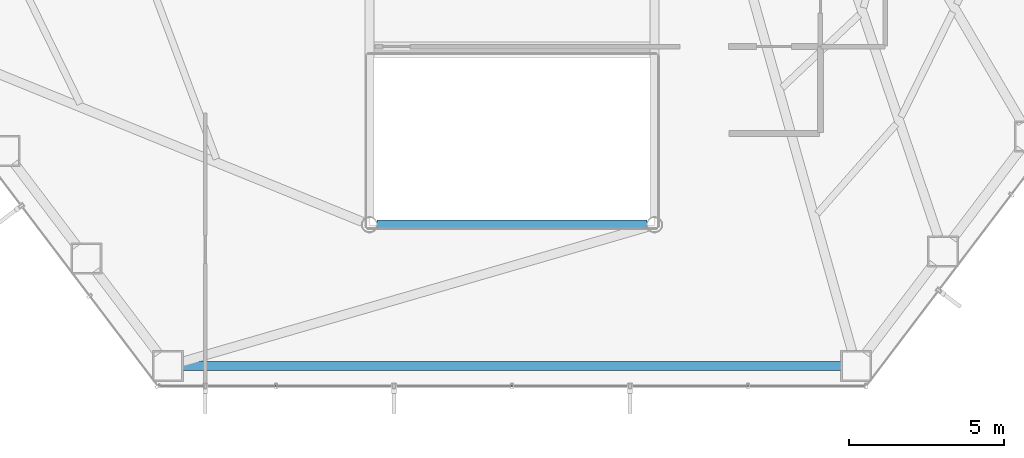
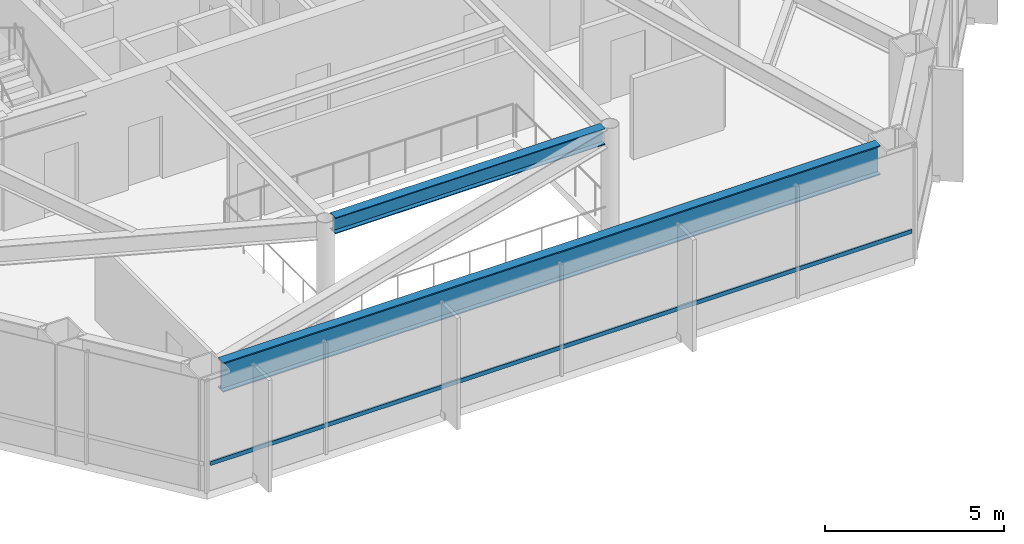
# One storey, part 6 of 26: 2 beams, 1 member, 1 element without a shape of its own.
"""IFC4 building model written with IfcOpenShell, lengths in metres."""

from ifc_helpers import new_model, si_unit, direction, frame, origin, origin_2d, place, context, subcontext, project, spatial, hollow_rectangle, i_section, extrude, material, layer, layer_set, material_profile, profile_set, type_object, element, aggregate, save


model = new_model("IFC4")

# Units and contexts
model_context = context("Model", 3, precision=1e-05, world=origin(), true_north=direction((0.0, 1.0)))
body_context = subcontext(model_context, "Body", "Model", "MODEL_VIEW")
ifc_project = project(units=[si_unit("LENGTHUNIT", "METRE"), si_unit("AREAUNIT", "SQUARE_METRE"), si_unit("VOLUMEUNIT", "CUBIC_METRE"), si_unit("PLANEANGLEUNIT", "RADIAN"), si_unit("MASSUNIT", "GRAM", prefix="KILO")], contexts=[model_context])

# Site, building, storey
site_placement = place(None, origin())
site = spatial("IfcSite", under=ifc_project, at=site_placement, CompositionType="ELEMENT")
building_placement = place(site_placement, origin())
building = spatial("IfcBuilding", under=site, at=building_placement, Name="Zarrinselat Tower", CompositionType="ELEMENT")
storey_placement = place(building_placement, frame((0.0, 0.0, 31.6201171875)))
storey = spatial("IfcBuildingStorey", under=building, at=storey_placement, Name="L07", CompositionType="ELEMENT", Elevation=31.6201171875)

# Beams
ifc_material_1 = material(Name="Steel S355J2", Category="steel")
ifc_material_profile_1 = material_profile(ifc_material_1, i_section(OverallWidth=0.300048828125, OverallDepth=0.550048828125, WebThickness=0.014892578125, FlangeThickness=0.029052734375, at=origin_2d()), Name="HEB 550")
ifc_profile_set_1 = profile_set([ifc_material_profile_1], Name="Steel S355J2")
beam_type_1 = type_object("IfcBeamType", Name="BM-HEB550", PredefinedType="BEAM", material=ifc_profile_set_1)
beam_1_placement = place(storey_placement, frame((34.0400390625, 24.39990234375, 3.544921875), z_axis=(1.0, 0.0, 0.0), x_axis=(0.0, 1.0, 0.0)))
element("IfcBeam", 1, at=beam_1_placement, inside=storey, type_object=beam_type_1, Name="L07 Atrium Edge Beam S", PredefinedType="BEAM", context=body_context, shape_type="SweptSolid", body=[
    extrude(i_section(OverallWidth=0.300048828125, OverallDepth=0.550048828125, WebThickness=0.014892578125, FlangeThickness=0.029052734375, at=origin_2d()), origin(), (0.0, 0.0, 1.0), 8.719970703125),
])
ifc_material_2 = material(Name="Steel S460M", Category="steel")
ifc_material_profile_2 = material_profile(ifc_material_2, i_section(OverallWidth=0.302001953125, OverallDepth=1.008056640625, WebThickness=0.02099609375, FlangeThickness=0.0400390625, at=origin_2d()), Name="HEM 1000")
ifc_profile_set_2 = profile_set([ifc_material_profile_2], Name="Steel S460M")
beam_type_2 = type_object("IfcBeamType", Name="BM-HEM1000", PredefinedType="BEAM", material=ifc_profile_set_2)
beam_2_placement = place(storey_placement, frame((27.77978515625, 19.84033203125, 3.31591796875), z_axis=(1.0, 0.0, 0.0), x_axis=(0.0, 1.0, 0.0)))
element("IfcBeam", 2, at=beam_2_placement, inside=storey, type_object=beam_type_2, Name="L07 Perimeter Spandrel Girder SP10", PredefinedType="BEAM", context=body_context, shape_type="SweptSolid", body=[
    extrude(i_section(OverallWidth=0.302001953125, OverallDepth=1.008056640625, WebThickness=0.02099609375, FlangeThickness=0.0400390625, at=origin_2d()), origin(), (0.0, 0.0, 1.0), 21.240478515625),
])

# Curtain wall, member
ifc_material_3 = material(Name="Extruded Aluminium Alloy EN AW-6063 T6", Category="aluminium")
ifc_layer = layer(ifc_material_3, 0.18505859375)
ifc_layer_set = layer_set([ifc_layer], Name="Extruded Aluminium Alloy EN AW-6063 T6")
curtain_wall_type = type_object("IfcCurtainWallType", Name="CWS-OFF", PredefinedType="NOTDEFINED", material=ifc_layer_set)
curtain_wall_placement = place(storey_placement, origin())
curtain_wall = element("IfcCurtainWall", 3, at=curtain_wall_placement, inside=storey, type_object=curtain_wall_type, Name="L07 Unitised Curtain Wall CW-L07-E04", PredefinedType="NOTDEFINED")
ifc_material_4 = material(Name="Extruded Aluminium Alloy EN AW-6063 T6", Category="aluminium")
ifc_material_profile_3 = material_profile(ifc_material_4, hollow_rectangle(XDim=0.06005859375, YDim=0.139892578125, WallThickness=0.00390625, at=origin_2d()), Name="RHS 140x60x4")
ifc_profile_set_3 = profile_set([ifc_material_profile_3], Name="Extruded Aluminium Alloy EN AW-6063 T6")
member_type = type_object("IfcMemberType", Name="MEM-CW-TRN", PredefinedType="USERDEFINED", material=ifc_profile_set_3)
member_placement = place(storey_placement, frame((27.05859375, 19.1904296875, 0.949951171875), z_axis=(1.0, 0.0, 0.0), x_axis=(0.0, 1.0, 0.0)))
member = element("IfcMember", 4, at=member_placement, type_object=member_type, Name="CW-L07-E04 Transom 1", ObjectType="TRANSOM", PredefinedType="USERDEFINED", context=body_context, shape_type="SweptSolid", body=[
    extrude(hollow_rectangle(XDim=0.06005859375, YDim=0.139892578125, WallThickness=0.00390625, at=origin_2d()), origin(), (0.0, 0.0, 1.0), 22.6826171875),
])
aggregate(curtain_wall, [member])

save(model, "model.ifc")
